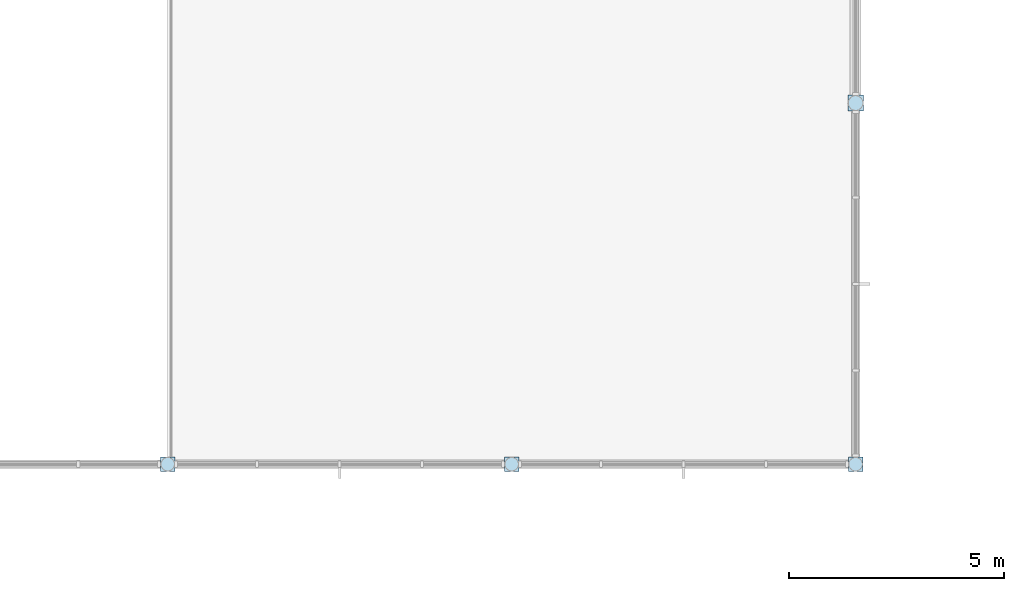
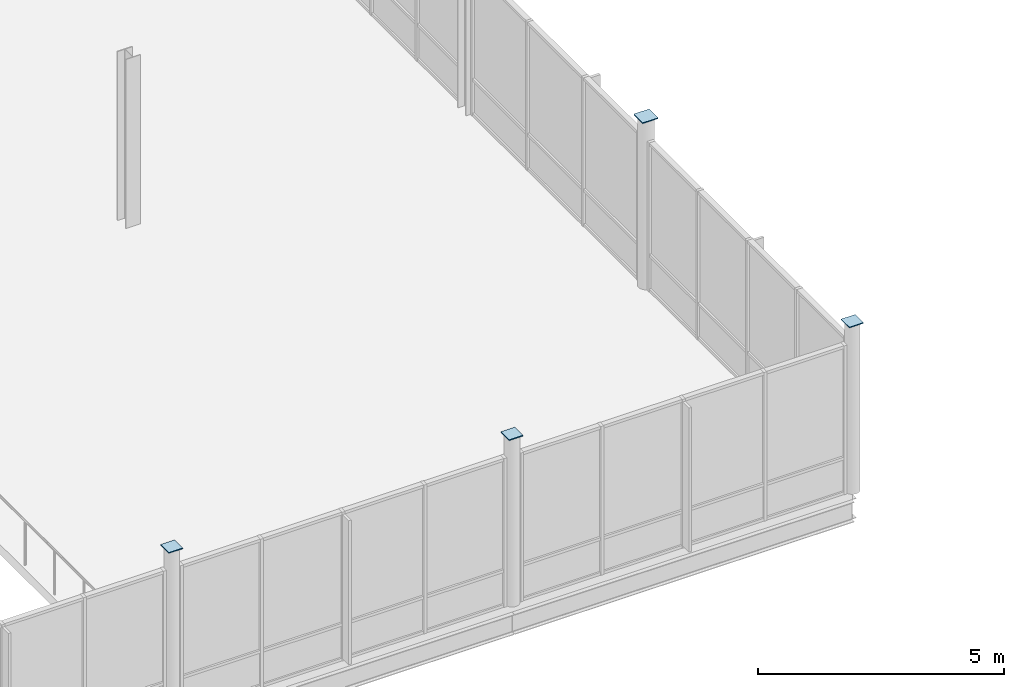
# One storey, part 55 of 75: 4 plates.
"""IFC4 building model written with IfcOpenShell, lengths in metres."""

from ifc_helpers import new_model, si_unit, direction, frame, origin, origin_2d, place, context, subcontext, project, spatial, rectangle, extrude, material, layer, layer_set, type_object, element, save


model = new_model("IFC4")

# Units and contexts
model_context = context("Model", 3, precision=1e-05, world=origin(), true_north=direction((0.0, 1.0)))
body_context = subcontext(model_context, "Body", "Model", "MODEL_VIEW")
ifc_project = project(units=[si_unit("LENGTHUNIT", "METRE"), si_unit("AREAUNIT", "SQUARE_METRE"), si_unit("VOLUMEUNIT", "CUBIC_METRE"), si_unit("PLANEANGLEUNIT", "RADIAN"), si_unit("MASSUNIT", "GRAM", prefix="KILO")], contexts=[model_context])

# Site, building, storey
site_placement = place(None, origin())
site = spatial("IfcSite", under=ifc_project, at=site_placement, CompositionType="ELEMENT")
building_placement = place(site_placement, origin())
building = spatial("IfcBuilding", under=site, at=building_placement, Name="Yukiwa Park Conservatory and Herbarium", CompositionType="ELEMENT")
storey_placement = place(building_placement, frame((0.0, 0.0, 4.800048828125)))
storey = spatial("IfcBuildingStorey", under=building, at=storey_placement, Name="L01", CompositionType="ELEMENT", Elevation=4.800048828125)

# Plates
ifc_material = material(Name="Steel Q355D", Category="steel")
ifc_layer = layer(ifc_material, 0.02392578125)
ifc_layer_set = layer_set([ifc_layer], Name="Steel Q355D")
plate_type = type_object("IfcPlateType", Name="PL-CAP-24", PredefinedType="USERDEFINED", material=ifc_layer_set)
for number, where, z_axis, x_axis, name in (
    (1, (92.0, 15.60009765625, 4.176025390625), (0.0, 0.0, 1.0), (1.0, 0.0, 0.0), "Hollow section end cap plate CAP-COL-L01-V2-X920-Y156"),
    (2, (100.0, 15.60009765625, 4.176025390625), (0.0, 0.0, 1.0), (1.0, 0.0, 0.0), "Hollow section end cap plate CAP-COL-L01-V2-X1000-Y156"),
    (3, (108.0, 15.60009765625, 4.176025390625), (0.0, 0.0, 1.0), (1.0, 0.0, 0.0), "Hollow section end cap plate CAP-COL-L01-V2-X1080-Y156"),
):
    element("IfcPlate", number, at=place(storey_placement, frame(where, z_axis=z_axis, x_axis=x_axis)), inside=storey, type_object=plate_type, Name=name, ObjectType="END CAP PLATE", PredefinedType="USERDEFINED", context=body_context, shape_type="SweptSolid", body=[
        extrude(rectangle(XDim=0.3330078125, YDim=0.3330078125, at=origin_2d()), origin(), (0.0, 0.0, 1.0), 0.02392578125),
    ])
plate_placement = place(storey_placement, frame((108.0, 24.0, 4.176025390625), z_axis=(0.0, 0.0, 1.0), x_axis=(1.0, 0.0, 0.0)))
element("IfcPlate", 4, at=plate_placement, inside=storey, type_object=plate_type, Name="Hollow section end cap plate CAP-COL-L01-V2-X1080-Y240", ObjectType="END CAP PLATE", PredefinedType="USERDEFINED", context=body_context, shape_type="SweptSolid", body=[
    extrude(rectangle(XDim=0.363525390625, YDim=0.363525390625, at=origin_2d()), origin(), (0.0, 0.0, 1.0), 0.02392578125),
])

save(model, "model.ifc")
